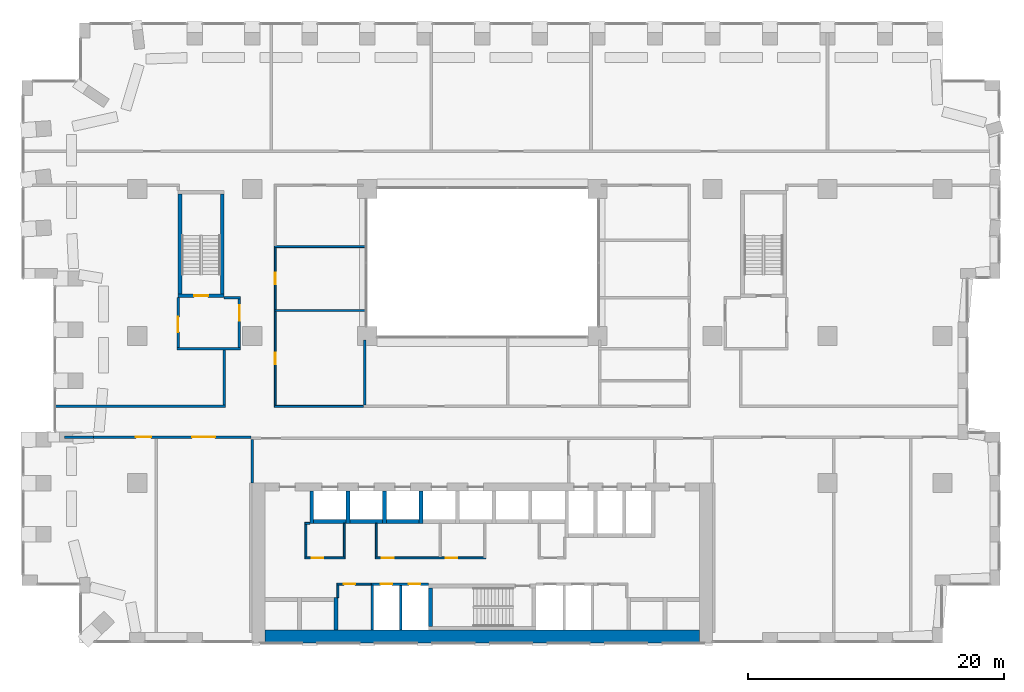
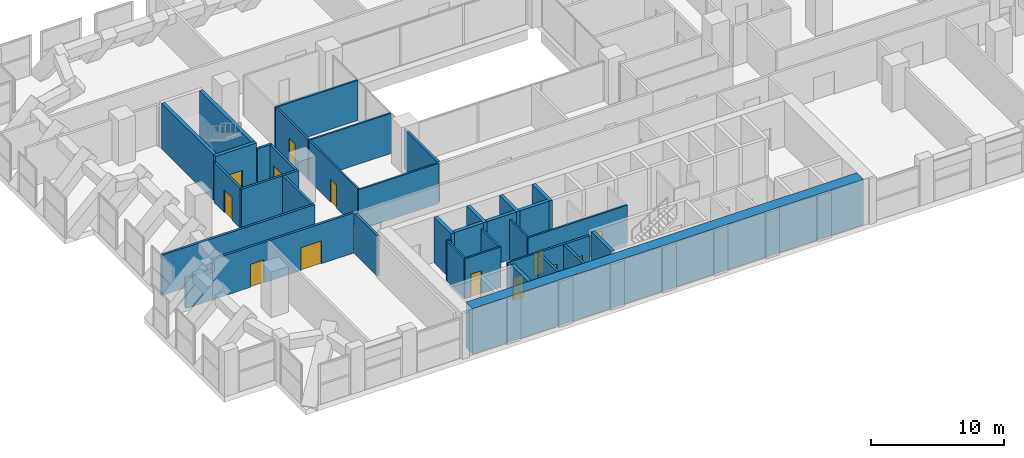
# One storey, part 15 of 20: 39 walls, 13 doors, 13 openings.
"""IFC4 building model written with IfcOpenShell, lengths in metres."""

from ifc_helpers import new_model, si_unit, direction, frame, frame_2d, origin, place, context, subcontext, project, spatial, rectangle, extrude, material, layer, layer_set, type_object, element, fill, save


model = new_model("IFC4")

# Units and contexts
model_context = context("Model", 3, precision=1e-05, world=origin(), true_north=direction((0.0, 1.0)))
body_context = subcontext(model_context, "Body", "Model", "MODEL_VIEW")
ifc_project = project(units=[si_unit("LENGTHUNIT", "METRE"), si_unit("AREAUNIT", "SQUARE_METRE"), si_unit("VOLUMEUNIT", "CUBIC_METRE"), si_unit("PLANEANGLEUNIT", "RADIAN"), si_unit("MASSUNIT", "GRAM", prefix="KILO")], contexts=[model_context])

# Site, building, storey
site_placement = place(None, origin())
site = spatial("IfcSite", under=ifc_project, at=site_placement, CompositionType="ELEMENT")
building_placement = place(site_placement, origin())
building = spatial("IfcBuilding", under=site, at=building_placement, Name="Brigalow Station Residences", CompositionType="ELEMENT")
storey_placement = place(building_placement, frame((0.0, 0.0, 73.050048828125)))
storey = spatial("IfcBuildingStorey", under=building, at=storey_placement, Name="L21", CompositionType="ELEMENT", Elevation=73.050048828125)

# Walls
ifc_material_1 = material(Name="Concrete C80", Category="concrete")
ifc_layer_1 = layer(ifc_material_1, 1.0)
ifc_layer_set_1 = layer_set([ifc_layer_1], Name="CORE SHEAR WALL 1000 C80")
wall_type_1 = type_object("IfcWallType", Name="CORE SHEAR WALL 1000 C80", PredefinedType="SHEAR", material=ifc_layer_set_1)
wall_1_placement = place(storey_placement, frame((19.0, 0.5, 0.0), z_axis=(0.0, 0.0, 1.0), x_axis=(1.0, 0.0, 0.0)))
element("IfcWall", 1, at=wall_1_placement, inside=storey, type_object=wall_type_1, Name="CORE WALL OUT-S L21", PredefinedType="SHEAR", context=body_context, shape_type="SweptSolid", body=[
    extrude(rectangle(XDim=34.0, YDim=1.0, at=frame_2d((17.0, 0.0))), origin(), (0.0, 0.0, 1.0), 4.199951171875),
])
ifc_material_2 = material(Name="Concrete C80", Category="concrete")
ifc_layer_2 = layer(ifc_material_2, 0.300048828125)
ifc_layer_set_2 = layer_set([ifc_layer_2], Name="CORE SHEAR WALL 300 C80")
wall_type_2 = type_object("IfcWallType", Name="CORE SHEAR WALL 300 C80", PredefinedType="SHEAR", material=ifc_layer_set_2)
wall_2_placement = place(storey_placement, frame((22.800048828125, 9.5, 0.0), z_axis=(0.0, 0.0, 1.0), x_axis=(1.0, 0.0, 0.0)))
element("IfcWall", 2, at=wall_2_placement, inside=storey, type_object=wall_type_2, Name="CORE WALL SH-P1-S L21", PredefinedType="SHEAR", context=body_context, shape_type="SweptSolid", body=[
    extrude(rectangle(XDim=2.550048828125, YDim=0.300048828125, at=frame_2d((1.27490234375, 0.0))), origin(), (0.0, 0.0, 1.0), 4.199951171875),
])
wall_3_placement = place(storey_placement, frame((22.64990234375, 9.35009765625, 0.0), z_axis=(0.0, 0.0, 1.0), x_axis=(0.0, 1.0, 0.0)))
element("IfcWall", 3, at=wall_3_placement, inside=storey, type_object=wall_type_2, Name="CORE WALL SH-P1-W L21", PredefinedType="SHEAR", context=body_context, shape_type="SweptSolid", body=[
    extrude(rectangle(XDim=2.5498046875, YDim=0.300048828125, at=frame_2d((1.27490234375, 0.0))), origin(), (0.0, 0.0, 1.0), 4.199951171875),
])
wall_4_placement = place(storey_placement, frame((25.64990234375, 9.5, 0.0), z_axis=(0.0, 0.0, 1.0), x_axis=(1.0, 0.0, 0.0)))
element("IfcWall", 4, at=wall_4_placement, inside=storey, type_object=wall_type_2, Name="CORE WALL SH-P2-S L21", PredefinedType="SHEAR", context=body_context, shape_type="SweptSolid", body=[
    extrude(rectangle(XDim=2.550048828125, YDim=0.300048828125, at=frame_2d((1.27490234375, 0.0))), origin(), (0.0, 0.0, 1.0), 4.199951171875),
])
wall_5_placement = place(storey_placement, frame((25.5, 9.35009765625, 0.0), z_axis=(0.0, 0.0, 1.0), x_axis=(0.0, 1.0, 0.0)))
element("IfcWall", 5, at=wall_5_placement, inside=storey, type_object=wall_type_2, Name="CORE WALL SH-P2-W L21", PredefinedType="SHEAR", context=body_context, shape_type="SweptSolid", body=[
    extrude(rectangle(XDim=2.5498046875, YDim=0.300048828125, at=frame_2d((1.27490234375, 0.0))), origin(), (0.0, 0.0, 1.0), 4.199951171875),
])
wall_6_placement = place(storey_placement, frame((28.5, 9.5, 0.0), z_axis=(0.0, 0.0, 1.0), x_axis=(1.0, 0.0, 0.0)))
element("IfcWall", 6, at=wall_6_placement, inside=storey, type_object=wall_type_2, Name="CORE WALL SH-P3-S L21", PredefinedType="SHEAR", context=body_context, shape_type="SweptSolid", body=[
    extrude(rectangle(XDim=2.550048828125, YDim=0.300048828125, at=frame_2d((1.27490234375, 0.0))), origin(), (0.0, 0.0, 1.0), 4.199951171875),
])
for number, where, z_axis, x_axis, name in (
    (7, (28.35009765625, 9.35009765625, 0.0), (0.0, 0.0, 1.0), (0.0, 1.0, 0.0), "CORE WALL SH-P3-W L21"),
    (8, (31.199951171875, 9.35009765625, 0.0), (0.0, 0.0, 1.0), (0.0, 1.0, 0.0), "CORE WALL SH-P4-W L21"),
):
    element("IfcWall", number, at=place(storey_placement, frame(where, z_axis=z_axis, x_axis=x_axis)), inside=storey, type_object=wall_type_2, Name=name, PredefinedType="SHEAR", context=body_context, shape_type="SweptSolid", body=[
        extrude(rectangle(XDim=2.5498046875, YDim=0.300048828125, at=frame_2d((1.27490234375, 0.0))), origin(), (0.0, 0.0, 1.0), 4.199951171875),
    ])
wall_7_placement = place(storey_placement, frame((24.550048828125, 1.0, 0.0), z_axis=(0.0, 0.0, 1.0), x_axis=(0.0, 1.0, 0.0)))
element("IfcWall", 9, at=wall_7_placement, inside=storey, type_object=wall_type_2, Name="CORE WALL SH-C2-E L21", PredefinedType="SHEAR", context=body_context, shape_type="SweptSolid", body=[
    extrude(rectangle(XDim=2.550048828125, YDim=0.300048828125, at=frame_2d((1.27490234375, 0.0))), origin(), (0.0, 0.0, 1.0), 4.199951171875),
])
wall_8_placement = place(storey_placement, frame((31.949951171875, 1.300048828125, 0.0), z_axis=(0.0, 0.0, 1.0), x_axis=(0.0, 1.0, 0.0)))
element("IfcWall", 10, at=wall_8_placement, inside=storey, type_object=wall_type_2, Name="CORE WALL ST-S2-W L21", PredefinedType="SHEAR", context=body_context, shape_type="SweptSolid", body=[
    extrude(rectangle(XDim=3.0, YDim=0.300048828125, at=frame_2d((1.5, 0.0))), origin(), (0.0, 0.0, 1.0), 4.199951171875),
])

# Wall, opening, door
wall_9_placement = place(storey_placement, frame((12.199951171875, 27.14990234375, 0.0), z_axis=(0.0, 0.0, 1.0), x_axis=(1.0, 0.0, 0.0)))
wall_9 = element("IfcWall", 11, at=wall_9_placement, inside=storey, type_object=wall_type_2, Name="CORE WALL ST-S1-S L21", PredefinedType="SHEAR", context=body_context, shape_type="SweptSolid", body=[
    extrude(rectangle(XDim=3.60009765625, YDim=0.300048828125, at=frame_2d((1.800048828125, 0.0))), origin(), (0.0, 0.0, 1.0), 4.199951171875),
])
opening_1_placement = place(wall_9_placement, frame((1.25, 0.0, 0.0)))
opening_1 = element("IfcOpeningElement", 12, at=opening_1_placement, cuts=wall_9, Name="Opening D-5015", PredefinedType="OPENING", context=body_context, shape_type="SweptSolid", body=[
    extrude(rectangle(XDim=1.10009765625, YDim=2.10009765625, at=frame_2d((0.550048828125, 1.050048828125))), frame((0.0, 0.16015625, 0.0), z_axis=(0.0, -1.0, 0.0), x_axis=(1.0, 0.0, 0.0)), (0.0, 0.0, 1.0), 0.320068359375),
])
ifc_material_3 = material(Name="Steel fire door leaf in steel frame", Category="steel")
door_type_1 = type_object("IfcDoorType", Name="STAIR DOOR 1100 x 2100 FD60S", OperationType="SINGLE_SWING_LEFT", PredefinedType="DOOR", material=ifc_material_3)
door_1_placement = place(opening_1_placement, origin())
door_1 = element("IfcDoor", 13, at=door_1_placement, inside=storey, type_object=door_type_1, Name="D-5015", OperationType="SINGLE_SWING_LEFT", OverallHeight=2.10009765625, OverallWidth=1.10009765625, PredefinedType="DOOR", context=body_context, shape_type="SweptSolid", body=[
    extrude(rectangle(XDim=1.10009765625, YDim=2.10009765625, at=frame_2d((0.550048828125, 1.050048828125))), frame((0.0, 0.02490234375, 0.0), z_axis=(0.0, -1.0, 0.0), x_axis=(1.0, 0.0, 0.0)), (0.0, 0.0, 1.0), 0.050048828125),
])
fill(opening_1, door_1)

# Walls
for number, where, z_axis, x_axis, name in (
    (14, (12.35009765625, 27.300048828125, 0.0), (0.0, 0.0, 1.0), (0.0, 1.0, 0.0), "CORE WALL ST-S1-W L21"),
    (15, (15.64990234375, 27.300048828125, 0.0), (0.0, 0.0, 1.0), (0.0, 1.0, 0.0), "CORE WALL ST-S1-E L21"),
):
    element("IfcWall", number, at=place(storey_placement, frame(where, z_axis=z_axis, x_axis=x_axis)), inside=storey, type_object=wall_type_2, Name=name, PredefinedType="SHEAR", context=body_context, shape_type="SweptSolid", body=[
        extrude(rectangle(XDim=7.800048828125, YDim=0.300048828125, at=frame_2d((3.89990234375, 0.0))), origin(), (0.0, 0.0, 1.0), 4.199951171875),
    ])

# Wall, openings, doors
ifc_material_4 = material(Name="Concrete blockwork", Category="masonry")
ifc_layer_3 = layer(ifc_material_4, 0.199951171875)
ifc_layer_set_3 = layer_set([ifc_layer_3], Name="FIRE RATED CORE PARTITION 200")
wall_type_3 = type_object("IfcWallType", Name="FIRE RATED CORE PARTITION 200", PredefinedType="PARTITIONING", material=ifc_layer_set_3)
wall_10_placement = place(storey_placement, frame((27.300048828125, 4.60009765625, 0.0), z_axis=(0.0, 0.0, 1.0), x_axis=(1.0, 0.0, 0.0)))
wall_10 = element("IfcWall", 16, at=wall_10_placement, inside=storey, type_object=wall_type_3, Name="PW-5017", PredefinedType="PARTITIONING", context=body_context, shape_type="SweptSolid", body=[
    extrude(rectangle(XDim=4.5, YDim=0.199951171875, at=frame_2d((2.25, 0.0))), origin(), (0.0, 0.0, 1.0), 3.699951171875),
])
opening_2_placement = place(wall_10_placement, frame((0.75, 0.0, 0.0)))
opening_2 = element("IfcOpeningElement", 17, at=opening_2_placement, cuts=wall_10, Name="Opening D-5007", PredefinedType="OPENING", context=body_context, shape_type="SweptSolid", body=[
    extrude(rectangle(XDim=0.89990234375, YDim=2.10009765625, at=frame_2d((0.449951171875, 1.050048828125))), frame((0.0, 0.10986328125, 0.0), z_axis=(0.0, -1.0, 0.0), x_axis=(1.0, 0.0, 0.0)), (0.0, 0.0, 1.0), 0.219970703125),
])
opening_3_placement = place(wall_10_placement, frame((2.949951171875, 0.0, 0.0)))
opening_3 = element("IfcOpeningElement", 18, at=opening_3_placement, cuts=wall_10, Name="Opening D-5008", PredefinedType="OPENING", context=body_context, shape_type="SweptSolid", body=[
    extrude(rectangle(XDim=0.89990234375, YDim=2.10009765625, at=frame_2d((0.449951171875, 1.050048828125))), frame((0.0, 0.10986328125, 0.0), z_axis=(0.0, -1.0, 0.0), x_axis=(1.0, 0.0, 0.0)), (0.0, 0.0, 1.0), 0.219970703125),
])
ifc_material_5 = material(Name="Steel fire door leaf in steel frame", Category="steel")
door_type_2 = type_object("IfcDoorType", Name="RISER ACCESS DOOR 900 x 2100 FD120", OperationType="SINGLE_SWING_LEFT", PredefinedType="DOOR", material=ifc_material_5)
door_2_placement = place(opening_2_placement, frame((0.89990234375, 0.0, 0.0), z_axis=(0.0, 0.0, 1.0), x_axis=(-1.0, 0.0, 0.0)))
door_2 = element("IfcDoor", 19, at=door_2_placement, inside=storey, type_object=door_type_2, Name="D-5007", OperationType="SINGLE_SWING_RIGHT", OverallHeight=2.10009765625, OverallWidth=0.89990234375, PredefinedType="DOOR", context=body_context, shape_type="SweptSolid", body=[
    extrude(rectangle(XDim=0.89990234375, YDim=2.10009765625, at=frame_2d((0.449951171875, 1.050048828125))), frame((0.0, 0.02490234375, 0.0), z_axis=(0.0, -1.0, 0.0), x_axis=(1.0, 0.0, 0.0)), (0.0, 0.0, 1.0), 0.050048828125),
])
fill(opening_2, door_2)
door_3_placement = place(opening_3_placement, frame((0.89990234375, 0.0, 0.0), z_axis=(0.0, 0.0, 1.0), x_axis=(-1.0, 0.0, 0.0)))
door_3 = element("IfcDoor", 20, at=door_3_placement, inside=storey, type_object=door_type_2, Name="D-5008", OperationType="SINGLE_SWING_RIGHT", OverallHeight=2.10009765625, OverallWidth=0.89990234375, PredefinedType="DOOR", context=body_context, shape_type="SweptSolid", body=[
    extrude(rectangle(XDim=0.89990234375, YDim=2.10009765625, at=frame_2d((0.449951171875, 1.050048828125))), frame((0.0, 0.02490234375, 0.0), z_axis=(0.0, -1.0, 0.0), x_axis=(1.0, 0.0, 0.0)), (0.0, 0.0, 1.0), 0.050048828125),
])
fill(opening_3, door_3)

# Walls
wall_11_placement = place(storey_placement, frame((12.10009765625, 23.0, 0.0), z_axis=(0.0, 0.0, 1.0), x_axis=(1.0, 0.0, 0.0)))
element("IfcWall", 21, at=wall_11_placement, inside=storey, type_object=wall_type_3, Name="PW-5023", PredefinedType="PARTITIONING", context=body_context, shape_type="SweptSolid", body=[
    extrude(rectangle(XDim=5.0, YDim=0.199951171875, at=frame_2d((2.5, 0.0))), origin(), (0.0, 0.0, 1.0), 3.699951171875),
])
wall_12_placement = place(storey_placement, frame((15.800048828125, 27.0, 0.0), z_axis=(0.0, 0.0, 1.0), x_axis=(1.0, 0.0, 0.0)))
element("IfcWall", 22, at=wall_12_placement, inside=storey, type_object=wall_type_3, Name="PW-5025", PredefinedType="PARTITIONING", context=body_context, shape_type="SweptSolid", body=[
    extrude(rectangle(XDim=1.300048828125, YDim=0.199951171875, at=frame_2d((0.64990234375, 0.0))), origin(), (0.0, 0.0, 1.0), 3.699951171875),
])
wall_13_placement = place(storey_placement, frame((27.39990234375, 1.0, 0.0), z_axis=(0.0, 0.0, 1.0), x_axis=(0.0, 1.0, 0.0)))
element("IfcWall", 23, at=wall_13_placement, inside=storey, type_object=wall_type_3, Name="PW-5027", PredefinedType="PARTITIONING", context=body_context, shape_type="SweptSolid", body=[
    extrude(rectangle(XDim=3.52490234375, YDim=0.199951171875, at=frame_2d((1.762451171875, 0.0))), origin(), (0.0, 0.0, 1.0), 3.699951171875),
])
wall_14_placement = place(storey_placement, frame((29.60009765625, 1.0, 0.0), z_axis=(0.0, 0.0, 1.0), x_axis=(0.0, 1.0, 0.0)))
element("IfcWall", 24, at=wall_14_placement, inside=storey, type_object=wall_type_3, Name="PW-5006", PredefinedType="PARTITIONING", context=body_context, shape_type="SweptSolid", body=[
    extrude(rectangle(XDim=3.5, YDim=0.199951171875, at=frame_2d((1.75, 0.0))), origin(), (0.0, 0.0, 1.0), 3.699951171875),
])
wall_15_placement = place(storey_placement, frame((18.0, 12.5, 0.0), z_axis=(0.0, 0.0, 1.0), x_axis=(0.0, 1.0, 0.0)))
element("IfcWall", 25, at=wall_15_placement, inside=storey, type_object=wall_type_3, Name="PW-5013", PredefinedType="PARTITIONING", context=body_context, shape_type="SweptSolid", body=[
    extrude(rectangle(XDim=3.39990234375, YDim=0.199951171875, at=frame_2d((1.699951171875, 0.0))), origin(), (0.0, 0.0, 1.0), 3.699951171875),
])

# Wall, opening, door
wall_16_placement = place(storey_placement, frame((12.199951171875, 23.10009765625, 0.0), z_axis=(0.0, 0.0, 1.0), x_axis=(0.0, 1.0, 0.0)))
wall_16 = element("IfcWall", 26, at=wall_16_placement, inside=storey, type_object=wall_type_3, Name="PW-5034", PredefinedType="PARTITIONING", context=body_context, shape_type="SweptSolid", body=[
    extrude(rectangle(XDim=3.89990234375, YDim=0.199951171875, at=frame_2d((1.949951171875, 0.0))), origin(), (0.0, 0.0, 1.0), 3.699951171875),
])
opening_4_placement = place(wall_16_placement, frame((1.199951171875, 0.0, 0.0)))
opening_4 = element("IfcOpeningElement", 27, at=opening_4_placement, cuts=wall_16, Name="Opening D-5108", PredefinedType="OPENING", context=body_context, shape_type="SweptSolid", body=[
    extrude(rectangle(XDim=1.199951171875, YDim=2.10009765625, at=frame_2d((0.60009765625, 1.050048828125))), frame((0.0, 0.10986328125, 0.0), z_axis=(0.0, -1.0, 0.0), x_axis=(1.0, 0.0, 0.0)), (0.0, 0.0, 1.0), 0.219970703125),
])
ifc_material_6 = material(Name="Steel fire door leaves in steel frame", Category="steel")
door_type_3 = type_object("IfcDoorType", Name="REFUGE AREA DOOR 1200 x 2100 FD60S", OperationType="SINGLE_SWING_LEFT", PredefinedType="DOOR", material=ifc_material_6)
door_4_placement = place(opening_4_placement, frame((1.199951171875, 0.0, 0.0), z_axis=(0.0, 0.0, 1.0), x_axis=(-1.0, 0.0, 0.0)))
door_4 = element("IfcDoor", 28, at=door_4_placement, inside=storey, type_object=door_type_3, Name="D-5108", OperationType="SINGLE_SWING_RIGHT", OverallHeight=2.10009765625, OverallWidth=1.199951171875, PredefinedType="DOOR", context=body_context, shape_type="SweptSolid", body=[
    extrude(rectangle(XDim=1.199951171875, YDim=2.10009765625, at=frame_2d((0.60009765625, 1.050048828125))), frame((0.0, 0.02490234375, 0.0), z_axis=(0.0, -1.0, 0.0), x_axis=(1.0, 0.0, 0.0)), (0.0, 0.0, 1.0), 0.050048828125),
])
fill(opening_4, door_4)

wall_17_placement = place(storey_placement, frame((17.0, 23.10009765625, 0.0), z_axis=(0.0, 0.0, 1.0), x_axis=(0.0, 1.0, 0.0)))
wall_17 = element("IfcWall", 29, at=wall_17_placement, inside=storey, type_object=wall_type_3, Name="PW-5035", PredefinedType="PARTITIONING", context=body_context, shape_type="SweptSolid", body=[
    extrude(rectangle(XDim=3.7998046875, YDim=0.199951171875, at=frame_2d((1.89990234375, 0.0))), origin(), (0.0, 0.0, 1.0), 3.699951171875),
])
opening_5_placement = place(wall_17_placement, frame((2.10009765625, 0.0, 0.0)))
opening_5 = element("IfcOpeningElement", 30, at=opening_5_placement, cuts=wall_17, Name="Opening D-5016", PredefinedType="OPENING", context=body_context, shape_type="SweptSolid", body=[
    extrude(rectangle(XDim=1.199951171875, YDim=2.10009765625, at=frame_2d((0.60009765625, 1.050048828125))), frame((0.0, 0.10986328125, 0.0), z_axis=(0.0, -1.0, 0.0), x_axis=(1.0, 0.0, 0.0)), (0.0, 0.0, 1.0), 0.219970703125),
])
ifc_material_7 = material(Name="Steel fire door leaf in steel frame", Category="steel")
door_type_4 = type_object("IfcDoorType", Name="STAIR LOBBY DOOR 1200 x 2100 FD60S", OperationType="SINGLE_SWING_LEFT", PredefinedType="DOOR", material=ifc_material_7)
door_5_placement = place(opening_5_placement, origin())
door_5 = element("IfcDoor", 31, at=door_5_placement, inside=storey, type_object=door_type_4, Name="D-5016", OperationType="SINGLE_SWING_RIGHT", OverallHeight=2.10009765625, OverallWidth=1.199951171875, PredefinedType="DOOR", context=body_context, shape_type="SweptSolid", body=[
    extrude(rectangle(XDim=1.199951171875, YDim=2.10009765625, at=frame_2d((0.60009765625, 1.050048828125))), frame((0.0, 0.02490234375, 0.0), z_axis=(0.0, -1.0, 0.0), x_axis=(1.0, 0.0, 0.0)), (0.0, 0.0, 1.0), 0.050048828125),
])
fill(opening_5, door_5)

# Wall
wall_18_placement = place(storey_placement, frame((3.300048828125, 16.10009765625, 0.0), z_axis=(0.0, 0.0, 1.0), x_axis=(1.0, 0.0, 0.0)))
element("IfcWall", 32, at=wall_18_placement, inside=storey, type_object=wall_type_3, Name="PW-5159", PredefinedType="PARTITIONING", context=body_context, shape_type="SweptSolid", body=[
    extrude(rectangle(XDim=2.2919921875, YDim=0.199951171875, at=frame_2d((1.14599609375, 0.0))), origin(), (0.0, 0.0, 1.0), 2.800048828125),
])

# Wall, openings, doors
wall_19_placement = place(storey_placement, frame((5.592041015625, 16.10009765625, 0.0), z_axis=(0.0, 0.0, 1.0), x_axis=(1.0, 0.0, 0.0)))
wall_19 = element("IfcWall", 33, at=wall_19_placement, inside=storey, type_object=wall_type_3, Name="PW-5159", PredefinedType="PARTITIONING", context=body_context, shape_type="SweptSolid", body=[
    extrude(rectangle(XDim=12.307861328125, YDim=0.199951171875, at=frame_2d((6.15380859375, 0.0))), origin(), (0.0, 0.0, 1.0), 3.699951171875),
])
opening_6_placement = place(wall_19_placement, frame((3.30810546875, 0.0, 0.0)))
opening_6 = element("IfcOpeningElement", 34, at=opening_6_placement, cuts=wall_19, Name="Opening D-5088", PredefinedType="OPENING", context=body_context, shape_type="SweptSolid", body=[
    extrude(rectangle(XDim=1.199951171875, YDim=2.10009765625, at=frame_2d((0.60009765625, 1.050048828125))), frame((0.0, 0.10986328125, 0.0), z_axis=(0.0, -1.0, 0.0), x_axis=(1.0, 0.0, 0.0)), (0.0, 0.0, 1.0), 0.219970703125),
])
opening_7_placement = place(wall_19_placement, frame((7.7080078125, 0.0, 0.0)))
opening_7 = element("IfcOpeningElement", 35, at=opening_7_placement, cuts=wall_19, Name="Opening D-5089", PredefinedType="OPENING", context=body_context, shape_type="SweptSolid", body=[
    extrude(rectangle(XDim=1.800048828125, YDim=2.10009765625, at=frame_2d((0.89990234375, 1.050048828125))), frame((0.0, 0.10986328125, 0.0), z_axis=(0.0, -1.0, 0.0), x_axis=(1.0, 0.0, 0.0)), (0.0, 0.0, 1.0), 0.219970703125),
])
ifc_material_8 = material(Name="Steel fire door leaf in steel frame", Category="steel")
door_type_5 = type_object("IfcDoorType", Name="PLANT ROOM DOOR 1200 x 2100 FD60", OperationType="SINGLE_SWING_LEFT", PredefinedType="DOOR", material=ifc_material_8)
door_6_placement = place(opening_6_placement, frame((1.199951171875, 0.0, 0.0), z_axis=(0.0, 0.0, 1.0), x_axis=(-1.0, 0.0, 0.0)))
door_6 = element("IfcDoor", 36, at=door_6_placement, inside=storey, type_object=door_type_5, Name="D-5088", OperationType="SINGLE_SWING_LEFT", OverallHeight=2.10009765625, OverallWidth=1.199951171875, PredefinedType="DOOR", context=body_context, shape_type="SweptSolid", body=[
    extrude(rectangle(XDim=1.199951171875, YDim=2.10009765625, at=frame_2d((0.60009765625, 1.050048828125))), frame((0.0, 0.02490234375, 0.0), z_axis=(0.0, -1.0, 0.0), x_axis=(1.0, 0.0, 0.0)), (0.0, 0.0, 1.0), 0.050048828125),
])
fill(opening_6, door_6)
ifc_material_9 = material(Name="Steel fire door leaf in steel frame", Category="steel")
door_type_6 = type_object("IfcDoorType", Name="PLANT ROOM DOOR 1800 x 2100 FD60", OperationType="DOUBLE_DOOR_SINGLE_SWING", PredefinedType="DOOR", material=ifc_material_9)
door_7_placement = place(opening_7_placement, frame((1.800048828125, 0.0, 0.0), z_axis=(0.0, 0.0, 1.0), x_axis=(-1.0, 0.0, 0.0)))
door_7 = element("IfcDoor", 37, at=door_7_placement, inside=storey, type_object=door_type_6, Name="D-5089", OperationType="DOUBLE_DOOR_SINGLE_SWING", OverallHeight=2.10009765625, OverallWidth=1.800048828125, PredefinedType="DOOR", context=body_context, shape_type="SweptSolid", body=[
    extrude(rectangle(XDim=1.800048828125, YDim=2.10009765625, at=frame_2d((0.89990234375, 1.050048828125))), frame((0.0, 0.02490234375, 0.0), z_axis=(0.0, -1.0, 0.0), x_axis=(1.0, 0.0, 0.0)), (0.0, 0.0, 1.0), 0.050048828125),
])
fill(opening_7, door_7)

# Walls
wall_20_placement = place(storey_placement, frame((2.590087890625, 18.5, 0.0), z_axis=(0.0, 0.0, 1.0), x_axis=(1.0, 0.0, 0.0)))
element("IfcWall", 38, at=wall_20_placement, inside=storey, type_object=wall_type_3, Name="PW-5160", PredefinedType="PARTITIONING", context=body_context, shape_type="SweptSolid", body=[
    extrude(rectangle(XDim=13.309814453125, YDim=0.199951171875, at=frame_2d((6.65478515625, 0.0))), origin(), (0.0, 0.0, 1.0), 3.699951171875),
])
wall_21_placement = place(storey_placement, frame((15.800048828125, 18.60009765625, 0.0), z_axis=(0.0, 0.0, 1.0), x_axis=(0.0, 1.0, 0.0)))
element("IfcWall", 39, at=wall_21_placement, inside=storey, type_object=wall_type_3, Name="PW-5089", PredefinedType="PARTITIONING", context=body_context, shape_type="SweptSolid", body=[
    extrude(rectangle(XDim=4.2998046875, YDim=0.199951171875, at=frame_2d((2.14990234375, 0.0))), origin(), (0.0, 0.0, 1.0), 3.699951171875),
])
wall_22_placement = place(storey_placement, frame((26.800048828125, 18.60009765625, 0.0), z_axis=(0.0, 0.0, 1.0), x_axis=(0.0, 1.0, 0.0)))
element("IfcWall", 40, at=wall_22_placement, inside=storey, type_object=wall_type_3, Name="PW-5090", PredefinedType="PARTITIONING", context=body_context, shape_type="SweptSolid", body=[
    extrude(rectangle(XDim=5.099853515625, YDim=0.199951171875, at=frame_2d((2.5498046875, 0.0))), origin(), (0.0, 0.0, 1.0), 3.699951171875),
])

# Wall, opening, door
ifc_material_10 = material(Name="Plasterboard on steel studs", Category="steel")
ifc_layer_4 = layer(ifc_material_10, 0.14990234375)
ifc_layer_set_4 = layer_set([ifc_layer_4], Name="SERVICE ROOM PARTITION 150")
wall_type_4 = type_object("IfcWallType", Name="SERVICE ROOM PARTITION 150", PredefinedType="PARTITIONING", material=ifc_layer_set_4)
wall_23_placement = place(storey_placement, frame((24.625, 4.60009765625, 0.0), z_axis=(0.0, 0.0, 1.0), x_axis=(1.0, 0.0, 0.0)))
wall_23 = element("IfcWall", 41, at=wall_23_placement, inside=storey, type_object=wall_type_4, Name="PW-5155", PredefinedType="PARTITIONING", context=body_context, shape_type="SweptSolid", body=[
    extrude(rectangle(XDim=2.675048828125, YDim=0.14990234375, at=frame_2d((1.33740234375, 0.0))), origin(), (0.0, 0.0, 1.0), 3.699951171875),
])
opening_8_placement = place(wall_23_placement, frame((0.52490234375, 0.0, 0.0)))
opening_8 = element("IfcOpeningElement", 42, at=opening_8_placement, cuts=wall_23, Name="Opening D-5087", PredefinedType="OPENING", context=body_context, shape_type="SweptSolid", body=[
    extrude(rectangle(XDim=0.89990234375, YDim=2.10009765625, at=frame_2d((0.449951171875, 1.050048828125))), frame((0.0, 0.0849609375, 0.0), z_axis=(0.0, -1.0, 0.0), x_axis=(1.0, 0.0, 0.0)), (0.0, 0.0, 1.0), 0.169921875),
])
ifc_material_11 = material(Name="Steel door leaf in steel frame", Category="steel")
door_type_7 = type_object("IfcDoorType", Name="SERVICE ROOM DOOR 900 x 2100 FD60", OperationType="SINGLE_SWING_LEFT", PredefinedType="DOOR", material=ifc_material_11)
door_8_placement = place(opening_8_placement, frame((0.89990234375, 0.0, 0.0), z_axis=(0.0, 0.0, 1.0), x_axis=(-1.0, 0.0, 0.0)))
door_8 = element("IfcDoor", 43, at=door_8_placement, inside=storey, type_object=door_type_7, Name="D-5087", OperationType="SINGLE_SWING_RIGHT", OverallHeight=2.10009765625, OverallWidth=0.89990234375, PredefinedType="DOOR", context=body_context, shape_type="SweptSolid", body=[
    extrude(rectangle(XDim=0.89990234375, YDim=2.10009765625, at=frame_2d((0.449951171875, 1.050048828125))), frame((0.0, 0.02490234375, 0.0), z_axis=(0.0, -1.0, 0.0), x_axis=(1.0, 0.0, 0.0)), (0.0, 0.0, 1.0), 0.050048828125),
])
fill(opening_8, door_8)

wall_24_placement = place(storey_placement, frame((22.125, 6.64990234375, 0.0), z_axis=(0.0, 0.0, 1.0), x_axis=(1.0, 0.0, 0.0)))
wall_24 = element("IfcWall", 44, at=wall_24_placement, inside=storey, type_object=wall_type_4, Name="PW-5141", PredefinedType="PARTITIONING", context=body_context, shape_type="SweptSolid", body=[
    extrude(rectangle(XDim=3.14990234375, YDim=0.14990234375, at=frame_2d((1.574951171875, 0.0))), origin(), (0.0, 0.0, 1.0), 3.699951171875),
])
opening_9_placement = place(wall_24_placement, frame((0.52490234375, 0.0, 0.0)))
opening_9 = element("IfcOpeningElement", 45, at=opening_9_placement, cuts=wall_24, Name="Opening D-5021", PredefinedType="OPENING", context=body_context, shape_type="SweptSolid", body=[
    extrude(rectangle(XDim=0.89990234375, YDim=2.10009765625, at=frame_2d((0.449951171875, 1.050048828125))), frame((0.0, 0.0849609375, 0.0), z_axis=(0.0, -1.0, 0.0), x_axis=(1.0, 0.0, 0.0)), (0.0, 0.0, 1.0), 0.169921875),
])
door_9_placement = place(opening_9_placement, origin())
door_9 = element("IfcDoor", 46, at=door_9_placement, inside=storey, type_object=door_type_7, Name="D-5021", OperationType="SINGLE_SWING_LEFT", OverallHeight=2.10009765625, OverallWidth=0.89990234375, PredefinedType="DOOR", context=body_context, shape_type="SweptSolid", body=[
    extrude(rectangle(XDim=0.89990234375, YDim=2.10009765625, at=frame_2d((0.449951171875, 1.050048828125))), frame((0.0, 0.02490234375, 0.0), z_axis=(0.0, -1.0, 0.0), x_axis=(1.0, 0.0, 0.0)), (0.0, 0.0, 1.0), 0.050048828125),
])
fill(opening_9, door_9)

# Wall, openings, doors
wall_25_placement = place(storey_placement, frame((27.625, 6.64990234375, 0.0), z_axis=(0.0, 0.0, 1.0), x_axis=(1.0, 0.0, 0.0)))
wall_25 = element("IfcWall", 47, at=wall_25_placement, inside=storey, type_object=wall_type_4, Name="PW-5142", PredefinedType="PARTITIONING", context=body_context, shape_type="SweptSolid", body=[
    extrude(rectangle(XDim=8.64990234375, YDim=0.14990234375, at=frame_2d((4.324951171875, 0.0))), origin(), (0.0, 0.0, 1.0), 3.699951171875),
])
opening_10_placement = place(wall_25_placement, frame((0.52490234375, 0.0, 0.0)))
opening_10 = element("IfcOpeningElement", 48, at=opening_10_placement, cuts=wall_25, Name="Opening D-5080", PredefinedType="OPENING", context=body_context, shape_type="SweptSolid", body=[
    extrude(rectangle(XDim=0.89990234375, YDim=2.10009765625, at=frame_2d((0.449951171875, 1.050048828125))), frame((0.0, 0.0849609375, 0.0), z_axis=(0.0, -1.0, 0.0), x_axis=(1.0, 0.0, 0.0)), (0.0, 0.0, 1.0), 0.169921875),
])
opening_11_placement = place(wall_25_placement, frame((5.52490234375, 0.0, 0.0)))
opening_11 = element("IfcOpeningElement", 49, at=opening_11_placement, cuts=wall_25, Name="Opening D-5073", PredefinedType="OPENING", context=body_context, shape_type="SweptSolid", body=[
    extrude(rectangle(XDim=0.89990234375, YDim=2.10009765625, at=frame_2d((0.449951171875, 1.050048828125))), frame((0.0, 0.0849609375, 0.0), z_axis=(0.0, -1.0, 0.0), x_axis=(1.0, 0.0, 0.0)), (0.0, 0.0, 1.0), 0.169921875),
])
door_10_placement = place(opening_10_placement, origin())
door_10 = element("IfcDoor", 50, at=door_10_placement, inside=storey, type_object=door_type_7, Name="D-5080", OperationType="SINGLE_SWING_LEFT", OverallHeight=2.10009765625, OverallWidth=0.89990234375, PredefinedType="DOOR", context=body_context, shape_type="SweptSolid", body=[
    extrude(rectangle(XDim=0.89990234375, YDim=2.10009765625, at=frame_2d((0.449951171875, 1.050048828125))), frame((0.0, 0.02490234375, 0.0), z_axis=(0.0, -1.0, 0.0), x_axis=(1.0, 0.0, 0.0)), (0.0, 0.0, 1.0), 0.050048828125),
])
fill(opening_10, door_10)
door_11_placement = place(opening_11_placement, origin())
door_11 = element("IfcDoor", 51, at=door_11_placement, inside=storey, type_object=door_type_7, Name="D-5073", OperationType="SINGLE_SWING_LEFT", OverallHeight=2.10009765625, OverallWidth=0.89990234375, PredefinedType="DOOR", context=body_context, shape_type="SweptSolid", body=[
    extrude(rectangle(XDim=0.89990234375, YDim=2.10009765625, at=frame_2d((0.449951171875, 1.050048828125))), frame((0.0, 0.02490234375, 0.0), z_axis=(0.0, -1.0, 0.0), x_axis=(1.0, 0.0, 0.0)), (0.0, 0.0, 1.0), 0.050048828125),
])
fill(opening_11, door_11)

# Walls
wall_26_placement = place(storey_placement, frame((22.125, 9.35009765625, 0.0), z_axis=(0.0, 0.0, 1.0), x_axis=(1.0, 0.0, 0.0)))
element("IfcWall", 52, at=wall_26_placement, inside=storey, type_object=wall_type_4, Name="PW-5022", PredefinedType="PARTITIONING", context=body_context, shape_type="SweptSolid", body=[
    extrude(rectangle(XDim=0.375, YDim=0.14990234375, at=frame_2d((0.1875, 0.0))), origin(), (0.0, 0.0, 1.0), 3.699951171875),
])
wall_27_placement = place(storey_placement, frame((24.699951171875, 3.550048828125, 0.0), z_axis=(0.0, 0.0, 1.0), x_axis=(0.0, 1.0, 0.0)))
element("IfcWall", 53, at=wall_27_placement, inside=storey, type_object=wall_type_4, Name="PW-5157", PredefinedType="PARTITIONING", context=body_context, shape_type="SweptSolid", body=[
    extrude(rectangle(XDim=0.974853515625, YDim=0.14990234375, at=frame_2d((0.4873046875, 0.0))), origin(), (0.0, 0.0, 1.0), 3.699951171875),
])
wall_28_placement = place(storey_placement, frame((22.199951171875, 6.72509765625, 0.0), z_axis=(0.0, 0.0, 1.0), x_axis=(0.0, 1.0, 0.0)))
element("IfcWall", 54, at=wall_28_placement, inside=storey, type_object=wall_type_4, Name="PW-5030", PredefinedType="PARTITIONING", context=body_context, shape_type="SweptSolid", body=[
    extrude(rectangle(XDim=2.5498046875, YDim=0.14990234375, at=frame_2d((1.27490234375, 0.0))), origin(), (0.0, 0.0, 1.0), 3.699951171875),
])
for number, where, z_axis, x_axis, name in (
    (55, (25.199951171875, 6.72509765625, 0.0), (0.0, 0.0, 1.0), (0.0, 1.0, 0.0), "PW-5146"),
    (56, (27.699951171875, 6.72509765625, 0.0), (0.0, 0.0, 1.0), (0.0, 1.0, 0.0), "PW-5147"),
):
    element("IfcWall", number, at=place(storey_placement, frame(where, z_axis=z_axis, x_axis=x_axis)), inside=storey, type_object=wall_type_4, Name=name, PredefinedType="PARTITIONING", context=body_context, shape_type="SweptSolid", body=[
        extrude(rectangle(XDim=2.625, YDim=0.14990234375, at=frame_2d((1.3125, 0.0))), origin(), (0.0, 0.0, 1.0), 3.699951171875),
    ])
wall_29_placement = place(storey_placement, frame((19.72509765625, 18.5, 0.0), z_axis=(0.0, 0.0, 1.0), x_axis=(1.0, 0.0, 0.0)))
element("IfcWall", 57, at=wall_29_placement, inside=storey, type_object=wall_type_4, Name="PW-5163", PredefinedType="PARTITIONING", context=body_context, shape_type="SweptSolid", body=[
    extrude(rectangle(XDim=6.974853515625, YDim=0.14990234375, at=frame_2d((3.4873046875, 0.0))), origin(), (0.0, 0.0, 1.0), 3.699951171875),
])
for number, where, z_axis, x_axis, name in (
    (58, (19.72509765625, 26.0, 0.0), (0.0, 0.0, 1.0), (1.0, 0.0, 0.0), "PW-5167"),
    (59, (19.72509765625, 31.0, 0.0), (0.0, 0.0, 1.0), (1.0, 0.0, 0.0), "PW-5169"),
):
    element("IfcWall", number, at=place(storey_placement, frame(where, z_axis=z_axis, x_axis=x_axis)), inside=storey, type_object=wall_type_4, Name=name, PredefinedType="PARTITIONING", context=body_context, shape_type="SweptSolid", body=[
        extrude(rectangle(XDim=7.178955078125, YDim=0.14990234375, at=frame_2d((3.58935546875, 0.0))), origin(), (0.0, 0.0, 1.0), 3.699951171875),
    ])

# Wall, opening, door
wall_30_placement = place(storey_placement, frame((19.800048828125, 18.574951171875, 0.0), z_axis=(0.0, 0.0, 1.0), x_axis=(0.0, 1.0, 0.0)))
wall_30 = element("IfcWall", 60, at=wall_30_placement, inside=storey, type_object=wall_type_4, Name="PW-5182", PredefinedType="PARTITIONING", context=body_context, shape_type="SweptSolid", body=[
    extrude(rectangle(XDim=7.35009765625, YDim=0.14990234375, at=frame_2d((3.675048828125, 0.0))), origin(), (0.0, 0.0, 1.0), 3.699951171875),
])
opening_12_placement = place(wall_30_placement, frame((3.22509765625, 0.0, 0.0)))
opening_12 = element("IfcOpeningElement", 61, at=opening_12_placement, cuts=wall_30, Name="Opening D-5093", PredefinedType="OPENING", context=body_context, shape_type="SweptSolid", body=[
    extrude(rectangle(XDim=0.89990234375, YDim=2.10009765625, at=frame_2d((0.449951171875, 1.050048828125))), frame((0.0, 0.0849609375, 0.0), z_axis=(0.0, -1.0, 0.0), x_axis=(1.0, 0.0, 0.0)), (0.0, 0.0, 1.0), 0.169921875),
])
door_12_placement = place(opening_12_placement, frame((0.89990234375, 0.0, 0.0), z_axis=(0.0, 0.0, 1.0), x_axis=(-1.0, 0.0, 0.0)))
door_12 = element("IfcDoor", 62, at=door_12_placement, inside=storey, type_object=door_type_7, Name="D-5093", OperationType="SINGLE_SWING_LEFT", OverallHeight=2.10009765625, OverallWidth=0.89990234375, PredefinedType="DOOR", context=body_context, shape_type="SweptSolid", body=[
    extrude(rectangle(XDim=0.89990234375, YDim=2.10009765625, at=frame_2d((0.449951171875, 1.050048828125))), frame((0.0, 0.02490234375, 0.0), z_axis=(0.0, -1.0, 0.0), x_axis=(1.0, 0.0, 0.0)), (0.0, 0.0, 1.0), 0.050048828125),
])
fill(opening_12, door_12)

wall_31_placement = place(storey_placement, frame((19.800048828125, 26.074951171875, 0.0), z_axis=(0.0, 0.0, 1.0), x_axis=(0.0, 1.0, 0.0)))
wall_31 = element("IfcWall", 63, at=wall_31_placement, inside=storey, type_object=wall_type_4, Name="PW-5188", PredefinedType="PARTITIONING", context=body_context, shape_type="SweptSolid", body=[
    extrude(rectangle(XDim=4.85009765625, YDim=0.14990234375, at=frame_2d((2.425048828125, 0.0))), origin(), (0.0, 0.0, 1.0), 3.699951171875),
])
opening_13_placement = place(wall_31_placement, frame((1.97509765625, 0.0, 0.0)))
opening_13 = element("IfcOpeningElement", 64, at=opening_13_placement, cuts=wall_31, Name="Opening D-5094", PredefinedType="OPENING", context=body_context, shape_type="SweptSolid", body=[
    extrude(rectangle(XDim=0.89990234375, YDim=2.10009765625, at=frame_2d((0.449951171875, 1.050048828125))), frame((0.0, 0.0849609375, 0.0), z_axis=(0.0, -1.0, 0.0), x_axis=(1.0, 0.0, 0.0)), (0.0, 0.0, 1.0), 0.169921875),
])
door_13_placement = place(opening_13_placement, frame((0.89990234375, 0.0, 0.0), z_axis=(0.0, 0.0, 1.0), x_axis=(-1.0, 0.0, 0.0)))
door_13 = element("IfcDoor", 65, at=door_13_placement, inside=storey, type_object=door_type_7, Name="D-5094", OperationType="SINGLE_SWING_RIGHT", OverallHeight=2.10009765625, OverallWidth=0.89990234375, PredefinedType="DOOR", context=body_context, shape_type="SweptSolid", body=[
    extrude(rectangle(XDim=0.89990234375, YDim=2.10009765625, at=frame_2d((0.449951171875, 1.050048828125))), frame((0.0, 0.02490234375, 0.0), z_axis=(0.0, -1.0, 0.0), x_axis=(1.0, 0.0, 0.0)), (0.0, 0.0, 1.0), 0.050048828125),
])
fill(opening_13, door_13)

save(model, "model.ifc")
